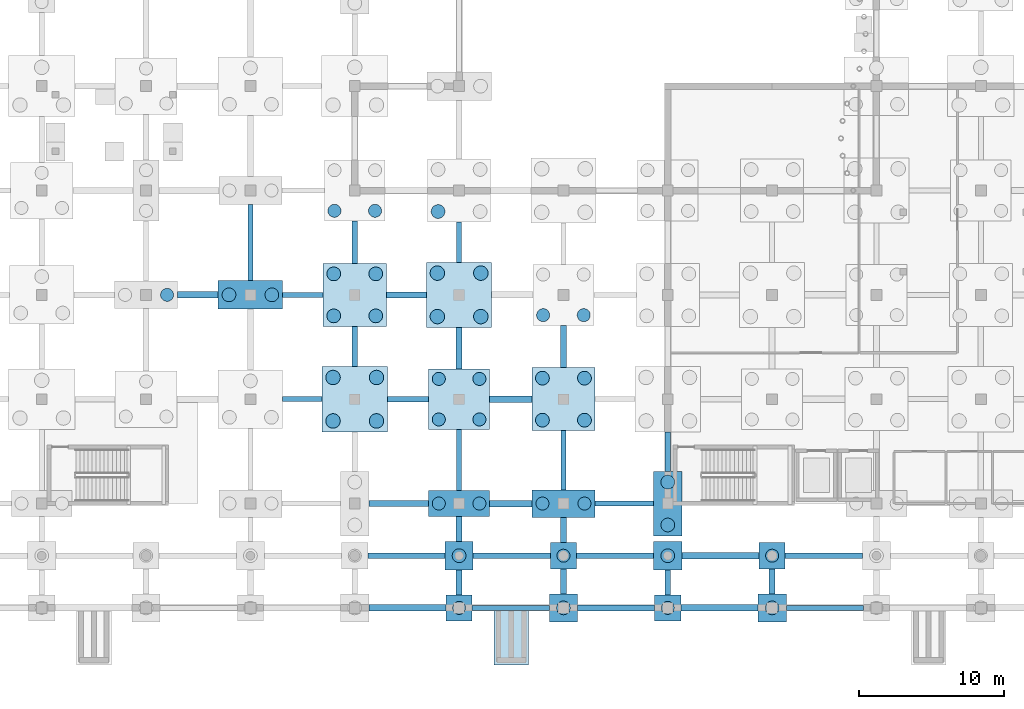
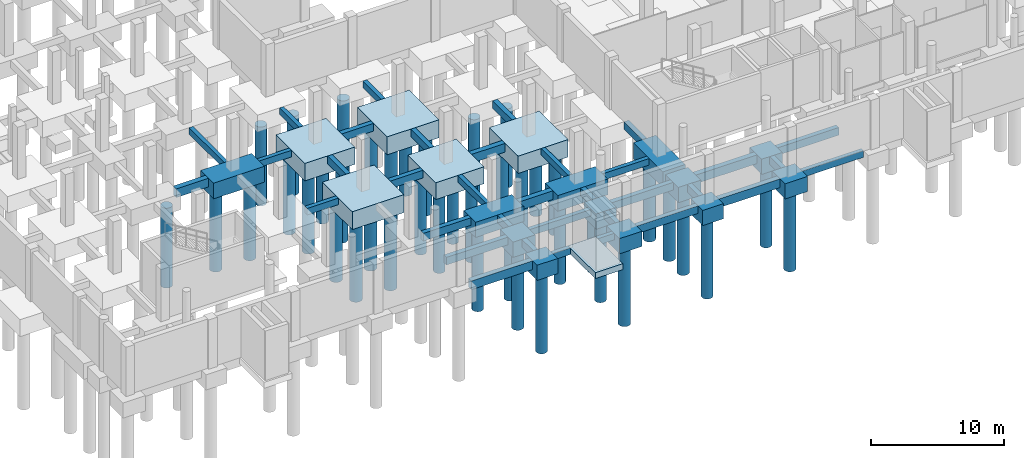
# One storey, part 2 of 35: 52 footings, 42 piles.
"""IFC4 building model written with IfcOpenShell, lengths in metres."""

from ifc_helpers import new_model, si_unit, direction, frame, origin, origin_2d, place, context, subcontext, project, spatial, rectangle, circle, extrude, material, material_profile, profile_set, type_object, element, save


model = new_model("IFC4")

# Units and contexts
model_context = context("Model", 3, precision=1e-05, world=origin(), true_north=direction((0.0, 1.0)))
body_context = subcontext(model_context, "Body", "Model", "MODEL_VIEW")
ifc_project = project(units=[si_unit("LENGTHUNIT", "METRE"), si_unit("AREAUNIT", "SQUARE_METRE"), si_unit("VOLUMEUNIT", "CUBIC_METRE"), si_unit("PLANEANGLEUNIT", "RADIAN"), si_unit("MASSUNIT", "GRAM", prefix="KILO"), si_unit("THERMODYNAMICTEMPERATUREUNIT", "KELVIN"), si_unit("POWERUNIT", "WATT")], contexts=[model_context])

# Site, building, storey
site_placement = place(None, origin())
site = spatial("IfcSite", under=ifc_project, at=site_placement, CompositionType="ELEMENT")
building_placement = place(site_placement, origin())
building = spatial("IfcBuilding", under=site, at=building_placement, Name="Kaldorven Railside Theatre", CompositionType="ELEMENT")
storey_placement = place(building_placement, frame((0.0, 0.0, -4.800048828125)))
storey = spatial("IfcBuildingStorey", under=building, at=storey_placement, Name="B1", CompositionType="ELEMENT", Elevation=-4.800048828125)

# Footings
ifc_material_1 = material(Name="Concrete C40/50", Category="concrete")
ifc_material_profile_1 = material_profile(ifc_material_1, rectangle(XDim=0.449951171875, YDim=0.800048828125, at=origin_2d()), Name="RC 450x800")
ifc_profile_set_1 = profile_set([ifc_material_profile_1], Name="Concrete C40/50")
footing_type_1 = type_object("IfcFootingType", Name="FTG-GB01", PredefinedType="FOOTING_BEAM", material=ifc_profile_set_1)
footing_1_placement = place(storey_placement, frame((37.77490234375, 12.0, -0.39990234375), z_axis=(1.0, 0.0, 0.0), x_axis=(0.0, 1.0, 0.0)))
element("IfcFooting", 1, at=footing_1_placement, inside=storey, type_object=footing_type_1, Name="Foundation Tie Beam GB-009", PredefinedType="FOOTING_BEAM", context=body_context, shape_type="SweptSolid", body=[
    extrude(rectangle(XDim=0.449951171875, YDim=0.800048828125, at=origin_2d()), origin(), (0.0, 0.0, 1.0), 5.3251953125),
])
for number, where, z_axis, x_axis, name in (
    (2, (59.300048828125, 12.0, -0.39990234375), (1.0, 0.0, 0.0), (0.0, 1.0, 0.0), "Foundation Tie Beam GB-015"),
    (3, (59.375, 15.60009765625, -0.39990234375), (1.0, 0.0, 0.0), (0.0, 1.0, 0.0), "Foundation Tie Beam GB-045"),
):
    element("IfcFooting", number, at=place(storey_placement, frame(where, z_axis=z_axis, x_axis=x_axis)), inside=storey, type_object=footing_type_1, Name=name, PredefinedType="FOOTING_BEAM", context=body_context, shape_type="SweptSolid", body=[
        extrude(rectangle(XDim=0.449951171875, YDim=0.800048828125, at=origin_2d()), origin(), (0.0, 0.0, 1.0), 5.324951171875),
    ])
for number, where, z_axis, x_axis, name in (
    (4, (46.10009765625, 19.199951171875, -0.39990234375), (1.0, 0.0, 0.0), (0.0, 1.0, 0.0), "Foundation Tie Beam GB-066"),
    (5, (46.10009765625, 26.39990234375, -0.39990234375), (1.0, 0.0, 0.0), (0.0, 1.0, 0.0), "Foundation Tie Beam GB-093"),
):
    element("IfcFooting", number, at=place(storey_placement, frame(where, z_axis=z_axis, x_axis=x_axis)), inside=storey, type_object=footing_type_1, Name=name, PredefinedType="FOOTING_BEAM", context=body_context, shape_type="SweptSolid", body=[
        extrude(rectangle(XDim=0.449951171875, YDim=0.800048828125, at=origin_2d()), origin(), (0.0, 0.0, 1.0), 2.9248046875),
    ])
footing_2_placement = place(storey_placement, frame((24.574951171875, 33.60009765625, -0.39990234375), z_axis=(1.0, 0.0, 0.0), x_axis=(0.0, 1.0, 0.0)))
element("IfcFooting", 6, at=footing_2_placement, inside=storey, type_object=footing_type_1, Name="Foundation Tie Beam GB-120", PredefinedType="FOOTING_BEAM", context=body_context, shape_type="SweptSolid", body=[
    extrude(rectangle(XDim=0.449951171875, YDim=0.800048828125, at=origin_2d()), origin(), (0.0, 0.0, 1.0), 2.800048828125),
])
ifc_material_profile_2 = material_profile(ifc_material_1, rectangle(XDim=0.39990234375, YDim=0.699951171875, at=origin_2d()), Name="RC 400x700")
ifc_profile_set_2 = profile_set([ifc_material_profile_2], Name="Concrete C40/50")
footing_type_2 = type_object("IfcFootingType", Name="FTG-GB02", PredefinedType="FOOTING_BEAM", material=ifc_profile_set_2)
footing_3_placement = place(storey_placement, frame((44.0, 12.89990234375, -0.349853515625), z_axis=(0.0, 1.0, 0.0), x_axis=(-1.0, 0.0, 0.0)))
element("IfcFooting", 7, at=footing_3_placement, inside=storey, type_object=footing_type_2, Name="Foundation Tie Beam GB-012", PredefinedType="FOOTING_BEAM", context=body_context, shape_type="SweptSolid", body=[
    extrude(rectangle(XDim=0.39990234375, YDim=0.699951171875, at=origin_2d()), origin(), (0.0, 0.0, 1.0), 1.72509765625),
])
footing_4_placement = place(storey_placement, frame((52.175048828125, 12.0, -0.349853515625), z_axis=(1.0, 0.0, 0.0), x_axis=(0.0, 1.0, 0.0)))
element("IfcFooting", 8, at=footing_4_placement, inside=storey, type_object=footing_type_2, Name="Foundation Tie Beam GB-013", PredefinedType="FOOTING_BEAM", context=body_context, shape_type="SweptSolid", body=[
    extrude(rectangle(XDim=0.39990234375, YDim=0.699951171875, at=origin_2d()), origin(), (0.0, 0.0, 1.0), 5.324951171875),
])
footing_5_placement = place(storey_placement, frame((51.199951171875, 12.97509765625, -0.349853515625), z_axis=(0.0, 1.0, 0.0), x_axis=(-1.0, 0.0, 0.0)))
element("IfcFooting", 9, at=footing_5_placement, inside=storey, type_object=footing_type_2, Name="Foundation Tie Beam GB-014", PredefinedType="FOOTING_BEAM", context=body_context, shape_type="SweptSolid", body=[
    extrude(rectangle(XDim=0.39990234375, YDim=0.699951171875, at=origin_2d()), origin(), (0.0, 0.0, 1.0), 1.724853515625),
])
footing_6_placement = place(storey_placement, frame((58.39990234375, 12.89990234375, -0.349853515625), z_axis=(0.0, 1.0, 0.0), x_axis=(-1.0, 0.0, 0.0)))
element("IfcFooting", 10, at=footing_6_placement, inside=storey, type_object=footing_type_2, Name="Foundation Tie Beam GB-016", PredefinedType="FOOTING_BEAM", context=body_context, shape_type="SweptSolid", body=[
    extrude(rectangle(XDim=0.39990234375, YDim=0.699951171875, at=origin_2d()), origin(), (0.0, 0.0, 1.0), 1.72509765625),
])
footing_7_placement = place(storey_placement, frame((65.60009765625, 12.97509765625, -0.349853515625), z_axis=(0.0, 1.0, 0.0), x_axis=(-1.0, 0.0, 0.0)))
element("IfcFooting", 11, at=footing_7_placement, inside=storey, type_object=footing_type_2, Name="Foundation Tie Beam GB-018", PredefinedType="FOOTING_BEAM", context=body_context, shape_type="SweptSolid", body=[
    extrude(rectangle(XDim=0.39990234375, YDim=0.699951171875, at=origin_2d()), origin(), (0.0, 0.0, 1.0), 1.724853515625),
])
footing_8_placement = place(storey_placement, frame((37.699951171875, 15.60009765625, -0.349853515625), z_axis=(1.0, 0.0, 0.0), x_axis=(0.0, 1.0, 0.0)))
element("IfcFooting", 12, at=footing_8_placement, inside=storey, type_object=footing_type_2, Name="Foundation Tie Beam GB-040", PredefinedType="FOOTING_BEAM", context=body_context, shape_type="SweptSolid", body=[
    extrude(rectangle(XDim=0.39990234375, YDim=0.699951171875, at=origin_2d()), origin(), (0.0, 0.0, 1.0), 5.324951171875),
])
footing_9_placement = place(storey_placement, frame((44.0, 16.574951171875, -0.349853515625), z_axis=(0.0, 1.0, 0.0), x_axis=(-1.0, 0.0, 0.0)))
element("IfcFooting", 13, at=footing_9_placement, inside=storey, type_object=footing_type_2, Name="Foundation Tie Beam GB-042", PredefinedType="FOOTING_BEAM", context=body_context, shape_type="SweptSolid", body=[
    extrude(rectangle(XDim=0.39990234375, YDim=0.699951171875, at=origin_2d()), origin(), (0.0, 0.0, 1.0), 1.72509765625),
])
footing_10_placement = place(storey_placement, frame((52.10009765625, 15.60009765625, -0.349853515625), z_axis=(1.0, 0.0, 0.0), x_axis=(0.0, 1.0, 0.0)))
element("IfcFooting", 14, at=footing_10_placement, inside=storey, type_object=footing_type_2, Name="Foundation Tie Beam GB-043", PredefinedType="FOOTING_BEAM", context=body_context, shape_type="SweptSolid", body=[
    extrude(rectangle(XDim=0.39990234375, YDim=0.699951171875, at=origin_2d()), origin(), (0.0, 0.0, 1.0), 5.324951171875),
])
footing_11_placement = place(storey_placement, frame((51.199951171875, 16.5, -0.349853515625), z_axis=(0.0, 1.0, 0.0), x_axis=(-1.0, 0.0, 0.0)))
element("IfcFooting", 15, at=footing_11_placement, inside=storey, type_object=footing_type_2, Name="Foundation Tie Beam GB-044", PredefinedType="FOOTING_BEAM", context=body_context, shape_type="SweptSolid", body=[
    extrude(rectangle(XDim=0.39990234375, YDim=0.699951171875, at=origin_2d()), origin(), (0.0, 0.0, 1.0), 1.75),
])
footing_12_placement = place(storey_placement, frame((66.5, 15.60009765625, -0.349853515625), z_axis=(1.0, 0.0, 0.0), x_axis=(0.0, 1.0, 0.0)))
element("IfcFooting", 16, at=footing_12_placement, inside=storey, type_object=footing_type_2, Name="Foundation Tie Beam GB-046", PredefinedType="FOOTING_BEAM", context=body_context, shape_type="SweptSolid", body=[
    extrude(rectangle(XDim=0.39990234375, YDim=0.699951171875, at=origin_2d()), origin(), (0.0, 0.0, 1.0), 5.324951171875),
])
footing_13_placement = place(storey_placement, frame((37.77490234375, 19.199951171875, -0.349853515625), z_axis=(1.0, 0.0, 0.0), x_axis=(0.0, 1.0, 0.0)))
element("IfcFooting", 17, at=footing_13_placement, inside=storey, type_object=footing_type_2, Name="Foundation Tie Beam GB-064", PredefinedType="FOOTING_BEAM", context=body_context, shape_type="SweptSolid", body=[
    extrude(rectangle(XDim=0.39990234375, YDim=0.699951171875, at=origin_2d()), origin(), (0.0, 0.0, 1.0), 4.125),
])
footing_14_placement = place(storey_placement, frame((58.39990234375, 21.425048828125, -0.349853515625), z_axis=(0.0, 1.0, 0.0), x_axis=(-1.0, 0.0, 0.0)))
element("IfcFooting", 18, at=footing_14_placement, inside=storey, type_object=footing_type_2, Name="Foundation Tie Beam GB-070", PredefinedType="FOOTING_BEAM", context=body_context, shape_type="SweptSolid", body=[
    extrude(rectangle(XDim=0.39990234375, YDim=0.699951171875, at=origin_2d()), origin(), (0.0, 0.0, 1.0), 2.724853515625),
])
footing_15_placement = place(storey_placement, frame((39.050048828125, 26.39990234375, -0.349853515625), z_axis=(1.0, 0.0, 0.0), x_axis=(0.0, 1.0, 0.0)))
element("IfcFooting", 19, at=footing_15_placement, inside=storey, type_object=footing_type_2, Name="Foundation Tie Beam GB-091", PredefinedType="FOOTING_BEAM", context=body_context, shape_type="SweptSolid", body=[
    extrude(rectangle(XDim=0.39990234375, YDim=0.699951171875, at=origin_2d()), origin(), (0.0, 0.0, 1.0), 2.849853515625),
])
footing_16_placement = place(storey_placement, frame((36.800048828125, 28.64990234375, -0.349853515625), z_axis=(0.0, 1.0, 0.0), x_axis=(-1.0, 0.0, 0.0)))
element("IfcFooting", 20, at=footing_16_placement, inside=storey, type_object=footing_type_2, Name="Foundation Tie Beam GB-092", PredefinedType="FOOTING_BEAM", context=body_context, shape_type="SweptSolid", body=[
    extrude(rectangle(XDim=0.39990234375, YDim=0.699951171875, at=origin_2d()), origin(), (0.0, 0.0, 1.0), 2.775146484375),
])
footing_17_placement = place(storey_placement, frame((44.0, 28.5, -0.349853515625), z_axis=(0.0, 1.0, 0.0), x_axis=(-1.0, 0.0, 0.0)))
element("IfcFooting", 21, at=footing_17_placement, inside=storey, type_object=footing_type_2, Name="Foundation Tie Beam GB-094", PredefinedType="FOOTING_BEAM", context=body_context, shape_type="SweptSolid", body=[
    extrude(rectangle(XDim=0.39990234375, YDim=0.699951171875, at=origin_2d()), origin(), (0.0, 0.0, 1.0), 2.85009765625),
])
footing_18_placement = place(storey_placement, frame((51.199951171875, 28.574951171875, -0.349853515625), z_axis=(0.0, 1.0, 0.0), x_axis=(-1.0, 0.0, 0.0)))
element("IfcFooting", 22, at=footing_18_placement, inside=storey, type_object=footing_type_2, Name="Foundation Tie Beam GB-096", PredefinedType="FOOTING_BEAM", context=body_context, shape_type="SweptSolid", body=[
    extrude(rectangle(XDim=0.39990234375, YDim=0.699951171875, at=origin_2d()), origin(), (0.0, 0.0, 1.0), 2.925048828125),
])
footing_19_placement = place(storey_placement, frame((38.97509765625, 33.60009765625, -0.349853515625), z_axis=(1.0, 0.0, 0.0), x_axis=(0.0, 1.0, 0.0)))
element("IfcFooting", 23, at=footing_19_placement, inside=storey, type_object=footing_type_2, Name="Foundation Tie Beam GB-124", PredefinedType="FOOTING_BEAM", context=body_context, shape_type="SweptSolid", body=[
    extrude(rectangle(XDim=0.39990234375, YDim=0.699951171875, at=origin_2d()), origin(), (0.0, 0.0, 1.0), 2.77490234375),
])
ifc_material_profile_3 = material_profile(ifc_material_1, rectangle(XDim=0.35009765625, YDim=0.60009765625, at=origin_2d()), Name="RC 350x600")
ifc_profile_set_3 = profile_set([ifc_material_profile_3], Name="Concrete C40/50")
footing_type_3 = type_object("IfcFootingType", Name="FTG-GB03", PredefinedType="FOOTING_BEAM", material=ifc_profile_set_3)
footing_20_placement = place(storey_placement, frame((44.89990234375, 12.0, -0.300048828125), z_axis=(1.0, 0.0, 0.0), x_axis=(0.0, 1.0, 0.0)))
element("IfcFooting", 24, at=footing_20_placement, inside=storey, type_object=footing_type_3, Name="Foundation Tie Beam GB-011", PredefinedType="FOOTING_BEAM", context=body_context, shape_type="SweptSolid", body=[
    extrude(rectangle(XDim=0.35009765625, YDim=0.60009765625, at=origin_2d()), origin(), (0.0, 0.0, 1.0), 5.3251953125),
])
for number, where, z_axis, x_axis, name in (
    (25, (66.574951171875, 12.0, -0.300048828125), (1.0, 0.0, 0.0), (0.0, 1.0, 0.0), "Foundation Tie Beam GB-017"),
    (26, (44.97509765625, 15.60009765625, -0.300048828125), (1.0, 0.0, 0.0), (0.0, 1.0, 0.0), "Foundation Tie Beam GB-041"),
):
    element("IfcFooting", number, at=place(storey_placement, frame(where, z_axis=z_axis, x_axis=x_axis)), inside=storey, type_object=footing_type_3, Name=name, PredefinedType="FOOTING_BEAM", context=body_context, shape_type="SweptSolid", body=[
        extrude(rectangle(XDim=0.35009765625, YDim=0.60009765625, at=origin_2d()), origin(), (0.0, 0.0, 1.0), 5.324951171875),
    ])
footing_21_placement = place(storey_placement, frame((44.0, 20.10009765625, -0.300048828125), z_axis=(0.0, 1.0, 0.0), x_axis=(-1.0, 0.0, 0.0)))
element("IfcFooting", 27, at=footing_21_placement, inside=storey, type_object=footing_type_3, Name="Foundation Tie Beam GB-067", PredefinedType="FOOTING_BEAM", context=body_context, shape_type="SweptSolid", body=[
    extrude(rectangle(XDim=0.35009765625, YDim=0.60009765625, at=origin_2d()), origin(), (0.0, 0.0, 1.0), 4.199951171875),
])
footing_22_placement = place(storey_placement, frame((53.375, 19.199951171875, -0.300048828125), z_axis=(1.0, 0.0, 0.0), x_axis=(0.0, 1.0, 0.0)))
element("IfcFooting", 28, at=footing_22_placement, inside=storey, type_object=footing_type_3, Name="Foundation Tie Beam GB-068", PredefinedType="FOOTING_BEAM", context=body_context, shape_type="SweptSolid", body=[
    extrude(rectangle(XDim=0.35009765625, YDim=0.60009765625, at=origin_2d()), origin(), (0.0, 0.0, 1.0), 4.050048828125),
])
footing_23_placement = place(storey_placement, frame((51.199951171875, 20.14990234375, -0.300048828125), z_axis=(0.0, 1.0, 0.0), x_axis=(-1.0, 0.0, 0.0)))
element("IfcFooting", 29, at=footing_23_placement, inside=storey, type_object=footing_type_3, Name="Foundation Tie Beam GB-069", PredefinedType="FOOTING_BEAM", context=body_context, shape_type="SweptSolid", body=[
    extrude(rectangle(XDim=0.35009765625, YDim=0.60009765625, at=origin_2d()), origin(), (0.0, 0.0, 1.0), 4.0751953125),
])
footing_24_placement = place(storey_placement, frame((31.824951171875, 26.39990234375, -0.300048828125), z_axis=(1.0, 0.0, 0.0), x_axis=(0.0, 1.0, 0.0)))
element("IfcFooting", 30, at=footing_24_placement, inside=storey, type_object=footing_type_3, Name="Foundation Tie Beam GB-089", PredefinedType="FOOTING_BEAM", context=body_context, shape_type="SweptSolid", body=[
    extrude(rectangle(XDim=0.35009765625, YDim=0.60009765625, at=origin_2d()), origin(), (0.0, 0.0, 1.0), 2.72509765625),
])
footing_25_placement = place(storey_placement, frame((31.824951171875, 33.60009765625, -0.300048828125), z_axis=(1.0, 0.0, 0.0), x_axis=(0.0, 1.0, 0.0)))
element("IfcFooting", 31, at=footing_25_placement, inside=storey, type_object=footing_type_3, Name="Foundation Tie Beam GB-122", PredefinedType="FOOTING_BEAM", context=body_context, shape_type="SweptSolid", body=[
    extrude(rectangle(XDim=0.35009765625, YDim=0.60009765625, at=origin_2d()), origin(), (0.0, 0.0, 1.0), 2.800048828125),
])
footing_26_placement = place(storey_placement, frame((29.60009765625, 34.574951171875, -0.300048828125), z_axis=(0.0, 1.0, 0.0), x_axis=(-1.0, 0.0, 0.0)))
element("IfcFooting", 32, at=footing_26_placement, inside=storey, type_object=footing_type_3, Name="Foundation Tie Beam GB-123", PredefinedType="FOOTING_BEAM", context=body_context, shape_type="SweptSolid", body=[
    extrude(rectangle(XDim=0.35009765625, YDim=0.60009765625, at=origin_2d()), origin(), (0.0, 0.0, 1.0), 5.275146484375),
])
footing_27_placement = place(storey_placement, frame((36.800048828125, 35.77490234375, -0.300048828125), z_axis=(0.0, 1.0, 0.0), x_axis=(-1.0, 0.0, 0.0)))
element("IfcFooting", 33, at=footing_27_placement, inside=storey, type_object=footing_type_3, Name="Foundation Tie Beam GB-125", PredefinedType="FOOTING_BEAM", context=body_context, shape_type="SweptSolid", body=[
    extrude(rectangle(XDim=0.35009765625, YDim=0.60009765625, at=origin_2d()), origin(), (0.0, 0.0, 1.0), 2.925048828125),
])
footing_28_placement = place(storey_placement, frame((44.0, 35.85009765625, -0.300048828125), z_axis=(0.0, 1.0, 0.0), x_axis=(-1.0, 0.0, 0.0)))
element("IfcFooting", 34, at=footing_28_placement, inside=storey, type_object=footing_type_3, Name="Foundation Tie Beam GB-127", PredefinedType="FOOTING_BEAM", context=body_context, shape_type="SweptSolid", body=[
    extrude(rectangle(XDim=0.35009765625, YDim=0.60009765625, at=origin_2d()), origin(), (0.0, 0.0, 1.0), 2.77490234375),
])
footing_type_4 = type_object("IfcFootingType", Name="FTG-PC01", PredefinedType="PILE_CAP", material=ifc_material_1)
for number, where, z_axis, x_axis, name in (
    (35, (44.0, 12.0, -1.39990234375), (0.0, 0.0, 1.0), (1.0, 0.0, 0.0), "Reinforced Concrete Pile Cap FC-006"),
    (36, (58.39990234375, 12.0, -1.39990234375), (0.0, 0.0, 1.0), (1.0, 0.0, 0.0), "Reinforced Concrete Pile Cap FC-008"),
    (37, (51.199951171875, 15.60009765625, -1.39990234375), (0.0, 0.0, 1.0), (1.0, 0.0, 0.0), "Reinforced Concrete Pile Cap FC-024"),
    (38, (65.60009765625, 15.60009765625, -1.39990234375), (0.0, 0.0, 1.0), (1.0, 0.0, 0.0), "Reinforced Concrete Pile Cap FC-026"),
):
    element("IfcFooting", number, at=place(storey_placement, frame(where, z_axis=z_axis, x_axis=x_axis)), inside=storey, type_object=footing_type_4, Name=name, PredefinedType="PILE_CAP", context=body_context, shape_type="SweptSolid", body=[
        extrude(rectangle(XDim=1.800048828125, YDim=1.800048828125, at=origin_2d()), origin(), (0.0, 0.0, 1.0), 1.39990234375),
    ])
footing_type_5 = type_object("IfcFootingType", Name="FTG-PC02", PredefinedType="PILE_CAP", material=ifc_material_1)
for number, where, z_axis, x_axis, name in (
    (39, (51.199951171875, 12.0, -1.39990234375), (0.0, 0.0, 1.0), (1.0, 0.0, 0.0), "Reinforced Concrete Pile Cap FC-007"),
    (40, (65.60009765625, 12.0, -1.39990234375), (0.0, 0.0, 1.0), (1.0, 0.0, 0.0), "Reinforced Concrete Pile Cap FC-009"),
    (41, (44.0, 15.60009765625, -1.39990234375), (0.0, 0.0, 1.0), (1.0, 0.0, 0.0), "Reinforced Concrete Pile Cap FC-023"),
    (42, (58.39990234375, 15.60009765625, -1.39990234375), (0.0, 0.0, 1.0), (1.0, 0.0, 0.0), "Reinforced Concrete Pile Cap FC-025"),
):
    element("IfcFooting", number, at=place(storey_placement, frame(where, z_axis=z_axis, x_axis=x_axis)), inside=storey, type_object=footing_type_5, Name=name, PredefinedType="PILE_CAP", context=body_context, shape_type="SweptSolid", body=[
        extrude(rectangle(XDim=1.949951171875, YDim=1.949951171875, at=origin_2d()), origin(), (0.0, 0.0, 1.0), 1.39990234375),
    ])
footing_type_6 = type_object("IfcFootingType", Name="FTG-PC03", PredefinedType="PILE_CAP", material=ifc_material_1)
footing_29_placement = place(storey_placement, frame((44.0, 19.199951171875, -1.39990234375), z_axis=(0.0, 0.0, 1.0), x_axis=(1.0, 0.0, 0.0)))
element("IfcFooting", 43, at=footing_29_placement, inside=storey, type_object=footing_type_6, Name="Reinforced Concrete Pile Cap FC-039", PredefinedType="PILE_CAP", context=body_context, shape_type="SweptSolid", body=[
    extrude(rectangle(XDim=4.199951171875, YDim=1.800048828125, at=origin_2d()), origin(), (0.0, 0.0, 1.0), 1.39990234375),
])
footing_type_7 = type_object("IfcFootingType", Name="FTG-PC05", PredefinedType="PILE_CAP", material=ifc_material_1)
footing_30_placement = place(storey_placement, frame((51.199951171875, 19.199951171875, -1.44970703125), z_axis=(0.0, 0.0, 1.0), x_axis=(1.0, 0.0, 0.0)))
element("IfcFooting", 44, at=footing_30_placement, inside=storey, type_object=footing_type_7, Name="Reinforced Concrete Pile Cap FC-040", PredefinedType="PILE_CAP", context=body_context, shape_type="SweptSolid", body=[
    extrude(rectangle(XDim=4.35009765625, YDim=1.89990234375, at=origin_2d()), origin(), (0.0, 0.0, 1.0), 1.449951171875),
])
footing_type_8 = type_object("IfcFootingType", Name="FTG-PC06", PredefinedType="PILE_CAP", material=ifc_material_1)
footing_31_placement = place(storey_placement, frame((29.60009765625, 33.60009765625, -1.44970703125), z_axis=(0.0, 0.0, 1.0), x_axis=(1.0, 0.0, 0.0)))
element("IfcFooting", 45, at=footing_31_placement, inside=storey, type_object=footing_type_8, Name="Reinforced Concrete Pile Cap FC-069", PredefinedType="PILE_CAP", context=body_context, shape_type="SweptSolid", body=[
    extrude(rectangle(XDim=4.449951171875, YDim=1.949951171875, at=origin_2d()), origin(), (0.0, 0.0, 1.0), 1.449951171875),
])
footing_type_9 = type_object("IfcFootingType", Name="FTG-PC07", PredefinedType="PILE_CAP", material=ifc_material_1)
footing_32_placement = place(storey_placement, frame((58.39990234375, 19.199951171875, -1.44970703125), z_axis=(0.0, 0.0, 1.0), x_axis=(1.0, 0.0, 0.0)))
element("IfcFooting", 46, at=footing_32_placement, inside=storey, type_object=footing_type_9, Name="Reinforced Concrete Pile Cap FC-041", PredefinedType="PILE_CAP", context=body_context, shape_type="SweptSolid", body=[
    extrude(rectangle(XDim=1.949951171875, YDim=4.449951171875, at=origin_2d()), origin(), (0.0, 0.0, 1.0), 1.449951171875),
])
footing_type_10 = type_object("IfcFootingType", Name="FTG-PC12", PredefinedType="PILE_CAP", material=ifc_material_1)
footing_33_placement = place(storey_placement, frame((44.0, 26.39990234375, -1.5498046875), z_axis=(0.0, 0.0, 1.0), x_axis=(1.0, 0.0, 0.0)))
element("IfcFooting", 47, at=footing_33_placement, inside=storey, type_object=footing_type_10, Name="Reinforced Concrete Pile Cap FC-054", PredefinedType="PILE_CAP", context=body_context, shape_type="SweptSolid", body=[
    extrude(rectangle(XDim=4.199951171875, YDim=4.199951171875, at=origin_2d()), origin(), (0.0, 0.0, 1.0), 1.550048828125),
])
footing_type_11 = type_object("IfcFootingType", Name="FTG-PC13", PredefinedType="PILE_CAP", material=ifc_material_1)
for number, where, z_axis, x_axis, name in (
    (48, (51.199951171875, 26.39990234375, -1.60009765625), (0.0, 0.0, 1.0), (1.0, 0.0, 0.0), "Reinforced Concrete Pile Cap FC-055"),
    (49, (36.800048828125, 33.60009765625, -1.60009765625), (0.0, 0.0, 1.0), (1.0, 0.0, 0.0), "Reinforced Concrete Pile Cap FC-070"),
):
    element("IfcFooting", number, at=place(storey_placement, frame(where, z_axis=z_axis, x_axis=x_axis)), inside=storey, type_object=footing_type_11, Name=name, PredefinedType="PILE_CAP", context=body_context, shape_type="SweptSolid", body=[
        extrude(rectangle(XDim=4.35009765625, YDim=4.35009765625, at=origin_2d()), origin(), (0.0, 0.0, 1.0), 1.60009765625),
    ])
footing_type_12 = type_object("IfcFootingType", Name="FTG-PC14", PredefinedType="PILE_CAP", material=ifc_material_1)
for number, where, z_axis, x_axis, name in (
    (50, (36.800048828125, 26.39990234375, -1.64990234375), (0.0, 0.0, 1.0), (1.0, 0.0, 0.0), "Reinforced Concrete Pile Cap FC-053"),
    (51, (44.0, 33.60009765625, -1.64990234375), (0.0, 0.0, 1.0), (1.0, 0.0, 0.0), "Reinforced Concrete Pile Cap FC-071"),
):
    element("IfcFooting", number, at=place(storey_placement, frame(where, z_axis=z_axis, x_axis=x_axis)), inside=storey, type_object=footing_type_12, Name=name, PredefinedType="PILE_CAP", context=body_context, shape_type="SweptSolid", body=[
        extrude(rectangle(XDim=4.5, YDim=4.5, at=origin_2d()), origin(), (0.0, 0.0, 1.0), 1.64990234375),
    ])
footing_type_13 = type_object("IfcFootingType", Name="FTG-SF01", PredefinedType="PAD_FOOTING", material=ifc_material_1)
footing_34_placement = place(storey_placement, frame((47.60009765625, 10.110107421875, -0.5498046875), z_axis=(0.0, 0.0, 1.0), x_axis=(1.0, 0.0, 0.0)))
element("IfcFooting", 52, at=footing_34_placement, inside=storey, type_object=footing_type_13, Name="Arrival Ramp Foundation Pad FRM-02", PredefinedType="PAD_FOOTING", context=body_context, shape_type="SweptSolid", body=[
    extrude(rectangle(XDim=2.39990234375, YDim=4.10009765625, at=origin_2d()), origin(), (0.0, 0.0, 1.0), 0.550048828125),
])

# Piles
ifc_material_2 = material(Name="Concrete C35/45", Category="concrete")
ifc_material_profile_4 = material_profile(ifc_material_2, circle(Radius=0.5, at=origin_2d()), Name="BP D1000")
ifc_profile_set_4 = profile_set([ifc_material_profile_4], Name="Concrete C35/45")
pile_type_1 = type_object("IfcPileType", Name="PIL-D1000", PredefinedType="BORED", material=ifc_profile_set_4)
for number, where, z_axis, x_axis, name in (
    (53, (35.300048828125, 24.89990234375, -1.550048828125), (0.0, 0.0, -1.0), (1.0, 0.0, 0.0), "Bored Bedrock Socket Pile BP-036-026-1"),
    (54, (38.300048828125, 24.89990234375, -1.550048828125), (0.0, 0.0, -1.0), (1.0, 0.0, 0.0), "Bored Bedrock Socket Pile BP-036-026-2"),
    (55, (35.300048828125, 27.89990234375, -1.550048828125), (0.0, 0.0, -1.0), (1.0, 0.0, 0.0), "Bored Bedrock Socket Pile BP-036-026-3"),
    (56, (38.300048828125, 27.89990234375, -1.550048828125), (0.0, 0.0, -1.0), (1.0, 0.0, 0.0), "Bored Bedrock Socket Pile BP-036-026-4"),
    (57, (42.5, 32.10009765625, -1.550048828125), (0.0, 0.0, -1.0), (1.0, 0.0, 0.0), "Bored Bedrock Socket Pile BP-044-033-1"),
    (58, (45.5, 32.10009765625, -1.550048828125), (0.0, 0.0, -1.0), (1.0, 0.0, 0.0), "Bored Bedrock Socket Pile BP-044-033-2"),
    (59, (42.5, 35.10009765625, -1.550048828125), (0.0, 0.0, -1.0), (1.0, 0.0, 0.0), "Bored Bedrock Socket Pile BP-044-033-3"),
    (60, (45.5, 35.10009765625, -1.550048828125), (0.0, 0.0, -1.0), (1.0, 0.0, 0.0), "Bored Bedrock Socket Pile BP-044-033-4"),
):
    element("IfcPile", number, at=place(storey_placement, frame(where, z_axis=z_axis, x_axis=x_axis)), inside=storey, type_object=pile_type_1, Name=name, PredefinedType="BORED", context=body_context, shape_type="SweptSolid", body=[
        extrude(circle(Radius=0.5, at=origin_2d()), origin(), (0.0, 0.0, 1.0), 7.14990234375),
    ])
ifc_material_profile_5 = material_profile(ifc_material_2, circle(Radius=0.449951171875, at=origin_2d()), Name="BP D900")
ifc_profile_set_5 = profile_set([ifc_material_profile_5], Name="Concrete C35/45")
pile_type_2 = type_object("IfcPileType", Name="PIL-D900", PredefinedType="BORED", material=ifc_profile_set_5)
for number, where, z_axis, x_axis, name in (
    (61, (44.0, 12.0, -1.300048828125), (0.0, 0.0, -1.0), (1.0, 0.0, 0.0), "Bored Bedrock Socket Pile BP-044-012-1"),
    (62, (58.39990234375, 12.0, -1.300048828125), (0.0, 0.0, -1.0), (1.0, 0.0, 0.0), "Bored Bedrock Socket Pile BP-058-012-1"),
    (63, (51.199951171875, 15.60009765625, -1.300048828125), (0.0, 0.0, -1.0), (1.0, 0.0, 0.0), "Bored Bedrock Socket Pile BP-051-015-1"),
    (64, (65.60009765625, 15.60009765625, -1.300048828125), (0.0, 0.0, -1.0), (1.0, 0.0, 0.0), "Bored Bedrock Socket Pile BP-065-015-1"),
    (65, (42.60009765625, 19.199951171875, -1.300048828125), (0.0, 0.0, -1.0), (1.0, 0.0, 0.0), "Bored Bedrock Socket Pile BP-044-019-1"),
    (66, (45.39990234375, 19.199951171875, -1.300048828125), (0.0, 0.0, -1.0), (1.0, 0.0, 0.0), "Bored Bedrock Socket Pile BP-044-019-2"),
):
    element("IfcPile", number, at=place(storey_placement, frame(where, z_axis=z_axis, x_axis=x_axis)), inside=storey, type_object=pile_type_2, Name=name, PredefinedType="BORED", context=body_context, shape_type="SweptSolid", body=[
        extrude(circle(Radius=0.449951171875, at=origin_2d()), origin(), (0.0, 0.0, 1.0), 7.39990234375),
    ])
for number, where, z_axis, x_axis, name in (
    (67, (49.75, 19.199951171875, -1.349853515625), (0.0, 0.0, -1.0), (1.0, 0.0, 0.0), "Bored Bedrock Socket Pile BP-051-019-1"),
    (68, (52.64990234375, 19.199951171875, -1.349853515625), (0.0, 0.0, -1.0), (1.0, 0.0, 0.0), "Bored Bedrock Socket Pile BP-051-019-2"),
):
    element("IfcPile", number, at=place(storey_placement, frame(where, z_axis=z_axis, x_axis=x_axis)), inside=storey, type_object=pile_type_2, Name=name, PredefinedType="BORED", context=body_context, shape_type="SweptSolid", body=[
        extrude(circle(Radius=0.449951171875, at=origin_2d()), origin(), (0.0, 0.0, 1.0), 7.35009765625),
    ])
for number, where, z_axis, x_axis, name in (
    (69, (42.60009765625, 25.0, -1.449951171875), (0.0, 0.0, -1.0), (1.0, 0.0, 0.0), "Bored Bedrock Socket Pile BP-044-026-1"),
    (70, (45.39990234375, 25.0, -1.449951171875), (0.0, 0.0, -1.0), (1.0, 0.0, 0.0), "Bored Bedrock Socket Pile BP-044-026-2"),
    (71, (42.60009765625, 27.800048828125, -1.449951171875), (0.0, 0.0, -1.0), (1.0, 0.0, 0.0), "Bored Bedrock Socket Pile BP-044-026-3"),
    (72, (45.39990234375, 27.800048828125, -1.449951171875), (0.0, 0.0, -1.0), (1.0, 0.0, 0.0), "Bored Bedrock Socket Pile BP-044-026-4"),
):
    element("IfcPile", number, at=place(storey_placement, frame(where, z_axis=z_axis, x_axis=x_axis)), inside=storey, type_object=pile_type_2, Name=name, PredefinedType="BORED", context=body_context, shape_type="SweptSolid", body=[
        extrude(circle(Radius=0.449951171875, at=origin_2d()), origin(), (0.0, 0.0, 1.0), 7.25),
    ])
pile_placement = place(storey_placement, frame((23.85009765625, 33.60009765625, -1.349853515625), z_axis=(0.0, 0.0, -1.0), x_axis=(1.0, 0.0, 0.0)))
element("IfcPile", 73, at=pile_placement, inside=storey, type_object=pile_type_2, Name="Bored Bedrock Socket Pile BP-022-033-2", PredefinedType="BORED", context=body_context, shape_type="SweptSolid", body=[
    extrude(circle(Radius=0.449951171875, at=origin_2d()), origin(), (0.0, 0.0, 1.0), 7.35009765625),
])
for number, where, z_axis, x_axis, name in (
    (74, (49.800048828125, 32.199951171875, -1.449951171875), (0.0, 0.0, -1.0), (1.0, 0.0, 0.0), "Bored Bedrock Socket Pile BP-051-033-1"),
    (75, (52.60009765625, 32.199951171875, -1.449951171875), (0.0, 0.0, -1.0), (1.0, 0.0, 0.0), "Bored Bedrock Socket Pile BP-051-033-2"),
    (76, (35.39990234375, 39.39990234375, -1.449951171875), (0.0, 0.0, -1.0), (1.0, 0.0, 0.0), "Bored Bedrock Socket Pile BP-036-040-1"),
    (77, (38.199951171875, 39.39990234375, -1.449951171875), (0.0, 0.0, -1.0), (1.0, 0.0, 0.0), "Bored Bedrock Socket Pile BP-036-040-2"),
):
    element("IfcPile", number, at=place(storey_placement, frame(where, z_axis=z_axis, x_axis=x_axis)), inside=storey, type_object=pile_type_2, Name=name, PredefinedType="BORED", context=body_context, shape_type="SweptSolid", body=[
        extrude(circle(Radius=0.449951171875, at=origin_2d()), origin(), (0.0, 0.0, 1.0), 7.25),
    ])
ifc_material_profile_6 = material_profile(ifc_material_2, circle(Radius=0.47509765625, at=origin_2d()), Name="BP D950")
ifc_profile_set_6 = profile_set([ifc_material_profile_6], Name="Concrete C35/45")
pile_type_3 = type_object("IfcPileType", Name="PIL-D950", PredefinedType="BORED", material=ifc_profile_set_6)
for number, where, z_axis, x_axis, name in (
    (78, (51.199951171875, 12.0, -1.300048828125), (0.0, 0.0, -1.0), (1.0, 0.0, 0.0), "Bored Bedrock Socket Pile BP-051-012-1"),
    (79, (65.60009765625, 12.0, -1.300048828125), (0.0, 0.0, -1.0), (1.0, 0.0, 0.0), "Bored Bedrock Socket Pile BP-065-012-1"),
    (80, (44.0, 15.60009765625, -1.300048828125), (0.0, 0.0, -1.0), (1.0, 0.0, 0.0), "Bored Bedrock Socket Pile BP-044-015-1"),
    (81, (58.39990234375, 15.60009765625, -1.300048828125), (0.0, 0.0, -1.0), (1.0, 0.0, 0.0), "Bored Bedrock Socket Pile BP-058-015-1"),
):
    element("IfcPile", number, at=place(storey_placement, frame(where, z_axis=z_axis, x_axis=x_axis)), inside=storey, type_object=pile_type_3, Name=name, PredefinedType="BORED", context=body_context, shape_type="SweptSolid", body=[
        extrude(circle(Radius=0.47509765625, at=origin_2d()), origin(), (0.0, 0.0, 1.0), 7.39990234375),
    ])
for number, where, z_axis, x_axis, name in (
    (82, (58.39990234375, 17.719970703125, -1.349853515625), (0.0, 0.0, -1.0), (1.0, 0.0, 0.0), "Bored Bedrock Socket Pile BP-058-019-1"),
    (83, (58.39990234375, 20.679931640625, -1.349853515625), (0.0, 0.0, -1.0), (1.0, 0.0, 0.0), "Bored Bedrock Socket Pile BP-058-019-2"),
):
    element("IfcPile", number, at=place(storey_placement, frame(where, z_axis=z_axis, x_axis=x_axis)), inside=storey, type_object=pile_type_3, Name=name, PredefinedType="BORED", context=body_context, shape_type="SweptSolid", body=[
        extrude(circle(Radius=0.47509765625, at=origin_2d()), origin(), (0.0, 0.0, 1.0), 7.35009765625),
    ])
for number, where, z_axis, x_axis, name in (
    (84, (49.75, 24.949951171875, -1.5), (0.0, 0.0, -1.0), (1.0, 0.0, 0.0), "Bored Bedrock Socket Pile BP-051-026-1"),
    (85, (52.64990234375, 24.949951171875, -1.5), (0.0, 0.0, -1.0), (1.0, 0.0, 0.0), "Bored Bedrock Socket Pile BP-051-026-2"),
    (86, (49.75, 27.85009765625, -1.5), (0.0, 0.0, -1.0), (1.0, 0.0, 0.0), "Bored Bedrock Socket Pile BP-051-026-3"),
    (87, (52.64990234375, 27.85009765625, -1.5), (0.0, 0.0, -1.0), (1.0, 0.0, 0.0), "Bored Bedrock Socket Pile BP-051-026-4"),
):
    element("IfcPile", number, at=place(storey_placement, frame(where, z_axis=z_axis, x_axis=x_axis)), inside=storey, type_object=pile_type_3, Name=name, PredefinedType="BORED", context=body_context, shape_type="SweptSolid", body=[
        extrude(circle(Radius=0.47509765625, at=origin_2d()), origin(), (0.0, 0.0, 1.0), 7.199951171875),
    ])
for number, where, z_axis, x_axis, name in (
    (88, (28.1201171875, 33.60009765625, -1.349853515625), (0.0, 0.0, -1.0), (1.0, 0.0, 0.0), "Bored Bedrock Socket Pile BP-029-033-1"),
    (89, (31.080078125, 33.60009765625, -1.349853515625), (0.0, 0.0, -1.0), (1.0, 0.0, 0.0), "Bored Bedrock Socket Pile BP-029-033-2"),
):
    element("IfcPile", number, at=place(storey_placement, frame(where, z_axis=z_axis, x_axis=x_axis)), inside=storey, type_object=pile_type_3, Name=name, PredefinedType="BORED", context=body_context, shape_type="SweptSolid", body=[
        extrude(circle(Radius=0.47509765625, at=origin_2d()), origin(), (0.0, 0.0, 1.0), 7.35009765625),
    ])
for number, where, z_axis, x_axis, name in (
    (90, (35.35009765625, 32.14990234375, -1.5), (0.0, 0.0, -1.0), (1.0, 0.0, 0.0), "Bored Bedrock Socket Pile BP-036-033-1"),
    (91, (38.25, 32.14990234375, -1.5), (0.0, 0.0, -1.0), (1.0, 0.0, 0.0), "Bored Bedrock Socket Pile BP-036-033-2"),
    (92, (35.35009765625, 35.050048828125, -1.5), (0.0, 0.0, -1.0), (1.0, 0.0, 0.0), "Bored Bedrock Socket Pile BP-036-033-3"),
    (93, (38.25, 35.050048828125, -1.5), (0.0, 0.0, -1.0), (1.0, 0.0, 0.0), "Bored Bedrock Socket Pile BP-036-033-4"),
    (94, (42.550048828125, 39.35009765625, -1.5), (0.0, 0.0, -1.0), (1.0, 0.0, 0.0), "Bored Bedrock Socket Pile BP-044-040-1"),
):
    element("IfcPile", number, at=place(storey_placement, frame(where, z_axis=z_axis, x_axis=x_axis)), inside=storey, type_object=pile_type_3, Name=name, PredefinedType="BORED", context=body_context, shape_type="SweptSolid", body=[
        extrude(circle(Radius=0.47509765625, at=origin_2d()), origin(), (0.0, 0.0, 1.0), 7.199951171875),
    ])

save(model, "model.ifc")
